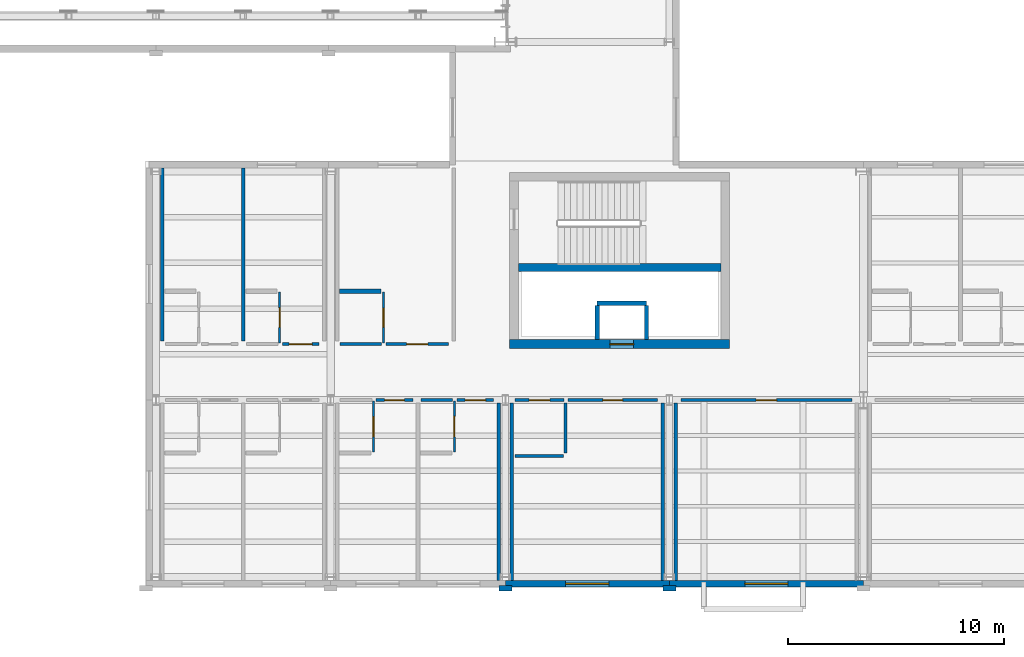
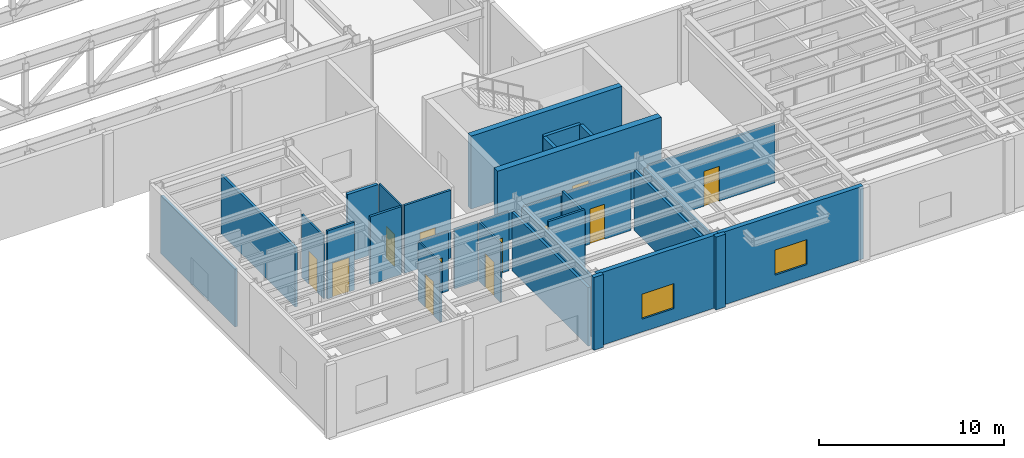
# One storey, part 66 of 91: 31 walls, 12 doors, 2 windows, 14 openings.
"""IFC4 building model written with IfcOpenShell, lengths in metres."""

from ifc_helpers import new_model, si_unit, direction, frame, frame_2d, origin, place, context, subcontext, project, spatial, rectangle, extrude, material, layer, layer_set, type_object, element, fill, save


model = new_model("IFC4")

# Units and contexts
model_context = context("Model", 3, precision=1e-05, world=origin(), true_north=direction((0.0, 1.0)))
body_context = subcontext(model_context, "Body", "Model", "MODEL_VIEW")
ifc_project = project(units=[si_unit("LENGTHUNIT", "METRE"), si_unit("AREAUNIT", "SQUARE_METRE"), si_unit("VOLUMEUNIT", "CUBIC_METRE"), si_unit("PLANEANGLEUNIT", "RADIAN"), si_unit("MASSUNIT", "GRAM", prefix="KILO")], contexts=[model_context])

# Site, building, storey
site_placement = place(None, origin())
site = spatial("IfcSite", under=ifc_project, at=site_placement, CompositionType="ELEMENT")
building_placement = place(site_placement, origin())
building = spatial("IfcBuilding", under=site, at=building_placement, Name="Sollismere Congress Hotel", CompositionType="ELEMENT")
storey_placement = place(building_placement, frame((0.0, 0.0, 10.800048828125)))
storey = spatial("IfcBuildingStorey", under=building, at=storey_placement, Name="L02", CompositionType="ELEMENT", Elevation=10.800048828125)

# Wall, opening, window
ifc_material_1 = material(Name="Colorado Buff Sandstone Rainscreen on Insulated Backup", Category="masonry")
ifc_layer_1 = layer(ifc_material_1, 0.284912109375, Name="Colorado Buff Sandstone Rainscreen on Insulated Backup")
ifc_layer_set_1 = layer_set([ifc_layer_1], Name="Colorado Buff Sandstone Rainscreen on Insulated Backup")
wall_type_1 = type_object("IfcWallType", Name="WL-EXT285", PredefinedType="STANDARD", material=ifc_layer_set_1)
wall_1_placement = place(storey_placement, frame((50.39990234375, -0.31005859375, 0.0), z_axis=(0.0, 0.0, 1.0), x_axis=(1.0, 0.0, 0.0)))
wall_1 = element("IfcWall", 1, at=wall_1_placement, inside=storey, type_object=wall_type_1, Name="Exterior wall EW-L02-330", PredefinedType="STANDARD", context=body_context, shape_type="SweptSolid", body=[
    extrude(rectangle(XDim=7.60009765625, YDim=0.284912109375, at=frame_2d((3.800048828125, 0.0))), origin(), (0.0, 0.0, 1.0), 4.800048828125),
])
opening_1_placement = place(wall_1_placement, frame((2.800048828125, 0.0, 0.85009765625)))
opening_1 = element("IfcOpeningElement", 2, at=opening_1_placement, cuts=wall_1, Name="Opening W-L02-266", PredefinedType="OPENING", context=body_context, shape_type="SweptSolid", body=[
    extrude(rectangle(XDim=2.0, YDim=1.64990234375, at=frame_2d((1.0, 0.824951171875))), frame((0.0, 0.15234375, 0.0), z_axis=(0.0, -1.0, 0.0), x_axis=(1.0, 0.0, 0.0)), (0.0, 0.0, 1.0), 0.304931640625),
])
ifc_material_2 = material(Name="Thermally Broken Bronze Aluminum & Low-E Glass", Category="aluminium")
window_type = type_object("IfcWindowType", Name="WN-P200x165", PartitioningType="SINGLE_PANEL", PredefinedType="WINDOW", material=ifc_material_2)
window_1_placement = place(opening_1_placement, origin())
window_1 = element("IfcWindow", 3, at=window_1_placement, inside=storey, type_object=window_type, Name="WIN-W-L02-266", OverallHeight=1.64990234375, OverallWidth=2.0, PartitioningType="SINGLE_PANEL", PredefinedType="WINDOW", context=body_context, shape_type="SweptSolid", body=[
    extrude(rectangle(XDim=2.0, YDim=1.64990234375, at=frame_2d((1.0, 0.824951171875))), frame((0.0, 0.030029296875, 0.0), z_axis=(0.0, -1.0, 0.0), x_axis=(1.0, 0.0, 0.0)), (0.0, 0.0, 1.0), 0.06005859375),
])
fill(opening_1, window_1)

wall_2_placement = place(storey_placement, frame((58.0, -0.31005859375, 0.0), z_axis=(0.0, 0.0, 1.0), x_axis=(1.0, 0.0, 0.0)))
wall_2 = element("IfcWall", 4, at=wall_2_placement, inside=storey, type_object=wall_type_1, Name="Exterior wall EW-L02-332", PredefinedType="STANDARD", context=body_context, shape_type="SweptSolid", body=[
    extrude(rectangle(XDim=9.0, YDim=0.284912109375, at=frame_2d((4.5, 0.0))), origin(), (0.0, 0.0, 1.0), 4.800048828125),
])
opening_2_placement = place(wall_2_placement, frame((3.5, 0.0, 0.85009765625)))
opening_2 = element("IfcOpeningElement", 5, at=opening_2_placement, cuts=wall_2, Name="Opening W-L02-267", PredefinedType="OPENING", context=body_context, shape_type="SweptSolid", body=[
    extrude(rectangle(XDim=2.0, YDim=1.64990234375, at=frame_2d((1.0, 0.824951171875))), frame((0.0, 0.15234375, 0.0), z_axis=(0.0, -1.0, 0.0), x_axis=(1.0, 0.0, 0.0)), (0.0, 0.0, 1.0), 0.304931640625),
])
window_2_placement = place(opening_2_placement, origin())
window_2 = element("IfcWindow", 6, at=window_2_placement, inside=storey, type_object=window_type, Name="WIN-W-L02-267", OverallHeight=1.64990234375, OverallWidth=2.0, PartitioningType="SINGLE_PANEL", PredefinedType="WINDOW", context=body_context, shape_type="SweptSolid", body=[
    extrude(rectangle(XDim=2.0, YDim=1.64990234375, at=frame_2d((1.0, 0.824951171875))), frame((0.0, 0.030029296875, 0.0), z_axis=(0.0, -1.0, 0.0), x_axis=(1.0, 0.0, 0.0)), (0.0, 0.0, 1.0), 0.06005859375),
])
fill(opening_2, window_2)

# Walls
ifc_material_3 = material(Name="Carved Travertine Pilaster & Frieze Assembly", Category="masonry")
ifc_layer_2 = layer(ifc_material_3, 0.260009765625, Name="Carved Travertine Pilaster & Frieze Assembly")
ifc_layer_set_2 = layer_set([ifc_layer_2], Name="Carved Travertine Pilaster & Frieze Assembly")
wall_type_2 = type_object("IfcWallType", Name="WL-PIL280", PredefinedType="ELEMENTEDWALL", material=ifc_layer_set_2)
wall_3_placement = place(storey_placement, frame((50.10009765625, -0.52001953125, 0.0), z_axis=(0.0, 0.0, 1.0), x_axis=(1.0, 0.0, 0.0)))
element("IfcWall", 7, at=wall_3_placement, inside=storey, type_object=wall_type_2, Name="Exterior wall EW-L02-331", PredefinedType="ELEMENTEDWALL", context=body_context, shape_type="SweptSolid", body=[
    extrude(rectangle(XDim=0.599853515625, YDim=0.260009765625, at=frame_2d((0.2998046875, 0.0))), origin(), (0.0, 0.0, 1.0), 4.800048828125),
])
wall_4_placement = place(storey_placement, frame((57.699951171875, -0.52001953125, 0.0), z_axis=(0.0, 0.0, 1.0), x_axis=(1.0, 0.0, 0.0)))
element("IfcWall", 8, at=wall_4_placement, inside=storey, type_object=wall_type_2, Name="Exterior wall EW-L02-333", PredefinedType="ELEMENTEDWALL", context=body_context, shape_type="SweptSolid", body=[
    extrude(rectangle(XDim=0.60009765625, YDim=0.260009765625, at=frame_2d((0.300048828125, 0.0))), origin(), (0.0, 0.0, 1.0), 4.800048828125),
])
ifc_material_4 = material(Name="Moisture-Resistant Shaft Gypsum Assembly")
ifc_layer_3 = layer(ifc_material_4, 0.199951171875, Name="Moisture-Resistant Shaft Gypsum Assembly")
ifc_layer_set_3 = layer_set([ifc_layer_3], Name="Moisture-Resistant Shaft Gypsum Assembly")
wall_type_3 = type_object("IfcWallType", Name="WL-PLM200", PredefinedType="PLUMBINGWALL", material=ifc_layer_set_3)
wall_5_placement = place(storey_placement, frame((54.655029296875, 12.68994140625, 0.0), z_axis=(0.0, 0.0, 1.0), x_axis=(1.0, 0.0, 0.0)))
element("IfcWall", 9, at=wall_5_placement, inside=storey, type_object=wall_type_3, Name="Interior wall IW-L02-0700", PredefinedType="PLUMBINGWALL", context=body_context, shape_type="SweptSolid", body=[
    extrude(rectangle(XDim=2.2900390625, YDim=0.199951171875, at=frame_2d((1.14501953125, 0.0))), origin(), (0.0, 0.0, 1.0), 4.474853515625),
])
for number, where, z_axis, x_axis, name in (
    (10, (54.655029296875, 11.011962890625, 0.0), (0.0, 0.0, 1.0), (0.0, 1.0, 0.0), "Interior wall IW-L02-0701"),
    (11, (56.945068359375, 11.011962890625, 0.0), (0.0, 0.0, 1.0), (0.0, 1.0, 0.0), "Interior wall IW-L02-0702"),
):
    element("IfcWall", number, at=place(storey_placement, frame(where, z_axis=z_axis, x_axis=x_axis)), inside=storey, type_object=wall_type_3, Name=name, PredefinedType="PLUMBINGWALL", context=body_context, shape_type="SweptSolid", body=[
        extrude(rectangle(XDim=1.56591796875, YDim=0.199951171875, at=frame_2d((0.782958984375, 0.0))), origin(), (0.0, 0.0, 1.0), 4.474853515625),
    ])
wall_6_placement = place(storey_placement, frame((42.719970703125, 13.25, 0.0), z_axis=(0.0, 0.0, 1.0), x_axis=(1.0, 0.0, 0.0)))
element("IfcWall", 12, at=wall_6_placement, inside=storey, type_object=wall_type_3, Name="Interior wall IW-L02-1009", PredefinedType="PLUMBINGWALL", context=body_context, shape_type="SweptSolid", body=[
    extrude(rectangle(XDim=1.909912109375, YDim=0.199951171875, at=frame_2d((0.955078125, 0.0))), origin(), (0.0, 0.0, 1.0), 4.474853515625),
])

# Wall, opening, door
ifc_material_5 = material(Name="Moisture-Resistant Gypsum Partition")
ifc_layer_4 = layer(ifc_material_5, 0.10009765625, Name="Moisture-Resistant Gypsum Partition")
ifc_layer_set_4 = layer_set([ifc_layer_4], Name="Moisture-Resistant Gypsum Partition")
wall_type_4 = type_object("IfcWallType", Name="WL-PRT100", PredefinedType="PARTITIONING", material=ifc_layer_set_4)
wall_7_placement = place(storey_placement, frame((39.93798828125, 10.840087890625, 0.0), z_axis=(0.0, 0.0, 1.0), x_axis=(0.0, 1.0, 0.0)))
wall_7 = element("IfcWall", 13, at=wall_7_placement, inside=storey, type_object=wall_type_4, Name="Interior wall IW-L02-0991", PredefinedType="PARTITIONING", context=body_context, shape_type="SweptSolid", body=[
    extrude(rectangle(XDim=2.369873046875, YDim=0.10009765625, at=frame_2d((1.18505859375, 0.0))), origin(), (0.0, 0.0, 1.0), 4.14404296875),
])
opening_3_placement = place(wall_7_placement, frame((0.73291015625, 0.0, 0.0)))
opening_3 = element("IfcOpeningElement", 14, at=opening_3_placement, cuts=wall_7, Name="Opening D-L02-0350", PredefinedType="OPENING", context=body_context, shape_type="SweptSolid", body=[
    extrude(rectangle(XDim=0.905029296875, YDim=2.179931640625, at=frame_2d((0.45263671875, 1.08984375))), frame((0.0, 0.06005859375, 0.0), z_axis=(0.0, -1.0, 0.0), x_axis=(1.0, 0.0, 0.0)), (0.0, 0.0, 1.0), 0.1201171875),
])
ifc_material_6 = material(Name="Moisture-Sealed Timber Bathroom Door", Category="wood")
door_type_1 = type_object("IfcDoorType", Name="DR-BT06", OperationType="NOTDEFINED", PredefinedType="DOOR", material=ifc_material_6)
door_1_placement = place(opening_3_placement, origin())
door_1 = element("IfcDoor", 15, at=door_1_placement, inside=storey, type_object=door_type_1, Name="En-suite bathroom door D-L02-0350", OperationType="SINGLE_SWING_LEFT", OverallHeight=2.179931640625, OverallWidth=0.905029296875, PredefinedType="DOOR", context=body_context, shape_type="SweptSolid", body=[
    extrude(rectangle(XDim=0.905029296875, YDim=2.179931640625, at=frame_2d((0.45263671875, 1.08984375))), frame((0.0, 0.02490234375, 0.0), z_axis=(0.0, -1.0, 0.0), x_axis=(1.0, 0.0, 0.0)), (0.0, 0.0, 1.0), 0.050048828125),
])
fill(opening_3, door_1)

wall_8_placement = place(storey_placement, frame((44.2880859375, 5.7900390625, 0.0), z_axis=(0.0, 0.0, 1.0), x_axis=(0.0, 1.0, 0.0)))
wall_8 = element("IfcWall", 16, at=wall_8_placement, inside=storey, type_object=wall_type_4, Name="Interior wall IW-L02-0997", PredefinedType="PARTITIONING", context=body_context, shape_type="SweptSolid", body=[
    extrude(rectangle(XDim=2.369873046875, YDim=0.10009765625, at=frame_2d((1.18505859375, 0.0))), origin(), (0.0, 0.0, 1.0), 3.887939453125),
])
opening_4_placement = place(wall_8_placement, frame((0.719970703125, 0.0, 0.0)))
opening_4 = element("IfcOpeningElement", 17, at=opening_4_placement, cuts=wall_8, Name="Opening D-L02-0352", PredefinedType="OPENING", context=body_context, shape_type="SweptSolid", body=[
    extrude(rectangle(XDim=0.929931640625, YDim=2.219970703125, at=frame_2d((0.46484375, 1.10986328125))), frame((0.0, 0.06005859375, 0.0), z_axis=(0.0, -1.0, 0.0), x_axis=(1.0, 0.0, 0.0)), (0.0, 0.0, 1.0), 0.1201171875),
])
door_type_2 = type_object("IfcDoorType", Name="DR-BT07", OperationType="NOTDEFINED", PredefinedType="DOOR", material=ifc_material_6)
door_2_placement = place(opening_4_placement, origin())
door_2 = element("IfcDoor", 18, at=door_2_placement, inside=storey, type_object=door_type_2, Name="En-suite bathroom door D-L02-0352", OperationType="SINGLE_SWING_LEFT", OverallHeight=2.219970703125, OverallWidth=0.929931640625, PredefinedType="DOOR", context=body_context, shape_type="SweptSolid", body=[
    extrude(rectangle(XDim=0.929931640625, YDim=2.219970703125, at=frame_2d((0.46484375, 1.10986328125))), frame((0.0, 0.02490234375, 0.0), z_axis=(0.0, -1.0, 0.0), x_axis=(1.0, 0.0, 0.0)), (0.0, 0.0, 1.0), 0.050048828125),
])
fill(opening_4, door_2)

wall_9_placement = place(storey_placement, frame((48.0380859375, 5.7900390625, 0.0), z_axis=(0.0, 0.0, 1.0), x_axis=(0.0, 1.0, 0.0)))
wall_9 = element("IfcWall", 19, at=wall_9_placement, inside=storey, type_object=wall_type_4, Name="Interior wall IW-L02-1002", PredefinedType="PARTITIONING", context=body_context, shape_type="SweptSolid", body=[
    extrude(rectangle(XDim=2.369873046875, YDim=0.10009765625, at=frame_2d((1.18505859375, 0.0))), origin(), (0.0, 0.0, 1.0), 3.887939453125),
])
opening_5_placement = place(wall_9_placement, frame((0.7080078125, 0.0, 0.0)))
opening_5 = element("IfcOpeningElement", 20, at=opening_5_placement, cuts=wall_9, Name="Opening D-L02-0354", PredefinedType="OPENING", context=body_context, shape_type="SweptSolid", body=[
    extrude(rectangle(XDim=0.955078125, YDim=2.219970703125, at=frame_2d((0.4775390625, 1.10986328125))), frame((0.0, 0.06005859375, 0.0), z_axis=(0.0, -1.0, 0.0), x_axis=(1.0, 0.0, 0.0)), (0.0, 0.0, 1.0), 0.1201171875),
])
door_type_3 = type_object("IfcDoorType", Name="DR-BT08", OperationType="NOTDEFINED", PredefinedType="DOOR", material=ifc_material_6)
door_3_placement = place(opening_5_placement, origin())
door_3 = element("IfcDoor", 21, at=door_3_placement, inside=storey, type_object=door_type_3, Name="En-suite bathroom door D-L02-0354", OperationType="SINGLE_SWING_LEFT", OverallHeight=2.219970703125, OverallWidth=0.955078125, PredefinedType="DOOR", context=body_context, shape_type="SweptSolid", body=[
    extrude(rectangle(XDim=0.955078125, YDim=2.219970703125, at=frame_2d((0.4775390625, 1.10986328125))), frame((0.0, 0.02490234375, 0.0), z_axis=(0.0, -1.0, 0.0), x_axis=(1.0, 0.0, 0.0)), (0.0, 0.0, 1.0), 0.050048828125),
])
fill(opening_5, door_3)

wall_10_placement = place(storey_placement, frame((44.75, 10.840087890625, 0.0), z_axis=(0.0, 0.0, 1.0), x_axis=(0.0, 1.0, 0.0)))
wall_10 = element("IfcWall", 22, at=wall_10_placement, inside=storey, type_object=wall_type_4, Name="Interior wall IW-L02-1008", PredefinedType="PARTITIONING", context=body_context, shape_type="SweptSolid", body=[
    extrude(rectangle(XDim=2.369873046875, YDim=0.10009765625, at=frame_2d((1.18505859375, 0.0))), origin(), (0.0, 0.0, 1.0), 4.474853515625),
])
opening_6_placement = place(wall_10_placement, frame((0.7451171875, 0.0, 0.0)))
opening_6 = element("IfcOpeningElement", 23, at=opening_6_placement, cuts=wall_10, Name="Opening D-L02-0356", PredefinedType="OPENING", context=body_context, shape_type="SweptSolid", body=[
    extrude(rectangle(XDim=0.8798828125, YDim=2.10009765625, at=frame_2d((0.43994140625, 1.050048828125))), frame((0.0, 0.06005859375, 0.0), z_axis=(0.0, -1.0, 0.0), x_axis=(1.0, 0.0, 0.0)), (0.0, 0.0, 1.0), 0.1201171875),
])
door_type_4 = type_object("IfcDoorType", Name="DR-BT01", OperationType="NOTDEFINED", PredefinedType="DOOR", material=ifc_material_6)
door_4_placement = place(opening_6_placement, origin())
door_4 = element("IfcDoor", 24, at=door_4_placement, inside=storey, type_object=door_type_4, Name="En-suite bathroom door D-L02-0356", OperationType="SINGLE_SWING_LEFT", OverallHeight=2.10009765625, OverallWidth=0.8798828125, PredefinedType="DOOR", context=body_context, shape_type="SweptSolid", body=[
    extrude(rectangle(XDim=0.8798828125, YDim=2.10009765625, at=frame_2d((0.43994140625, 1.050048828125))), frame((0.0, 0.02490234375, 0.0), z_axis=(0.0, -1.0, 0.0), x_axis=(1.0, 0.0, 0.0)), (0.0, 0.0, 1.0), 0.050048828125),
])
fill(opening_6, door_4)

ifc_material_7 = material(Name="Fire-Rated Gypsum Partition")
ifc_layer_5 = layer(ifc_material_7, 0.139892578125, Name="Fire-Rated Gypsum Partition")
ifc_layer_set_5 = layer_set([ifc_layer_5], Name="Fire-Rated Gypsum Partition")
wall_type_5 = type_object("IfcWallType", Name="WL-PRT140R", PredefinedType="PARTITIONING", material=ifc_layer_set_5)
wall_11_placement = place(storey_placement, frame((40.05810546875, 10.800048828125, 0.0), z_axis=(0.0, 0.0, 1.0), x_axis=(1.0, 0.0, 0.0)))
wall_11 = element("IfcWall", 25, at=wall_11_placement, inside=storey, type_object=wall_type_5, Name="Interior wall IW-L02-0989", PredefinedType="PARTITIONING", context=body_context, shape_type="SweptSolid", body=[
    extrude(rectangle(XDim=1.701904296875, YDim=0.139892578125, at=frame_2d((0.85107421875, 0.0))), origin(), (0.0, 0.0, 1.0), 4.474853515625),
])
opening_7_placement = place(wall_11_placement, frame((0.31591796875, 0.0, 0.0)))
opening_7 = element("IfcOpeningElement", 26, at=opening_7_placement, cuts=wall_11, Name="Opening D-L02-0349", PredefinedType="OPENING", context=body_context, shape_type="SweptSolid", body=[
    extrude(rectangle(XDim=1.070068359375, YDim=2.25, at=frame_2d((0.53515625, 1.125))), frame((0.0, 0.079833984375, 0.0), z_axis=(0.0, -1.0, 0.0), x_axis=(1.0, 0.0, 0.0)), (0.0, 0.0, 1.0), 0.159912109375),
])
ifc_material_8 = material(Name="Solid-Core Acoustic Walnut Guestroom Entry Door")
door_type_5 = type_object("IfcDoorType", Name="DR-KY06", OperationType="NOTDEFINED", PredefinedType="DOOR", material=ifc_material_8)
door_5_placement = place(opening_7_placement, origin())
door_5 = element("IfcDoor", 27, at=door_5_placement, inside=storey, type_object=door_type_5, Name="Hotel room entry door D-L02-0349", OperationType="SINGLE_SWING_RIGHT", OverallHeight=2.25, OverallWidth=1.070068359375, PredefinedType="DOOR", context=body_context, shape_type="SweptSolid", body=[
    extrude(rectangle(XDim=1.070068359375, YDim=2.25, at=frame_2d((0.53515625, 1.125))), frame((0.0, 0.02490234375, 0.0), z_axis=(0.0, -1.0, 0.0), x_axis=(1.0, 0.0, 0.0)), (0.0, 0.0, 1.0), 0.050048828125),
])
fill(opening_7, door_5)

wall_12_placement = place(storey_placement, frame((44.407958984375, 8.199951171875, 0.0), z_axis=(0.0, 0.0, 1.0), x_axis=(1.0, 0.0, 0.0)))
wall_12 = element("IfcWall", 28, at=wall_12_placement, inside=storey, type_object=wall_type_5, Name="Interior wall IW-L02-0994", PredefinedType="PARTITIONING", context=body_context, shape_type="SweptSolid", body=[
    extrude(rectangle(XDim=1.7021484375, YDim=0.139892578125, at=frame_2d((0.85107421875, 0.0))), origin(), (0.0, 0.0, 1.0), 3.887939453125),
])
opening_8_placement = place(wall_12_placement, frame((0.39111328125, 0.0, 0.0)))
opening_8 = element("IfcOpeningElement", 29, at=opening_8_placement, cuts=wall_12, Name="Opening D-L02-0351", PredefinedType="OPENING", context=body_context, shape_type="SweptSolid", body=[
    extrude(rectangle(XDim=0.919921875, YDim=2.300048828125, at=frame_2d((0.4599609375, 1.14990234375))), frame((0.0, 0.079833984375, 0.0), z_axis=(0.0, -1.0, 0.0), x_axis=(1.0, 0.0, 0.0)), (0.0, 0.0, 1.0), 0.159912109375),
])
door_type_6 = type_object("IfcDoorType", Name="DR-KY07", OperationType="NOTDEFINED", PredefinedType="DOOR", material=ifc_material_8)
door_6_placement = place(opening_8_placement, origin())
door_6 = element("IfcDoor", 30, at=door_6_placement, inside=storey, type_object=door_type_6, Name="Hotel room entry door D-L02-0351", OperationType="SINGLE_SWING_RIGHT", OverallHeight=2.300048828125, OverallWidth=0.919921875, PredefinedType="DOOR", context=body_context, shape_type="SweptSolid", body=[
    extrude(rectangle(XDim=0.919921875, YDim=2.300048828125, at=frame_2d((0.4599609375, 1.14990234375))), frame((0.0, 0.02490234375, 0.0), z_axis=(0.0, -1.0, 0.0), x_axis=(1.0, 0.0, 0.0)), (0.0, 0.0, 1.0), 0.050048828125),
])
fill(opening_8, door_6)

# Wall
wall_13_placement = place(storey_placement, frame((46.489990234375, 8.199951171875, 0.0), z_axis=(0.0, 0.0, 1.0), x_axis=(1.0, 0.0, 0.0)))
element("IfcWall", 31, at=wall_13_placement, inside=storey, type_object=wall_type_5, Name="Interior wall IW-L02-0999", PredefinedType="PARTITIONING", context=body_context, shape_type="SweptSolid", body=[
    extrude(rectangle(XDim=1.468017578125, YDim=0.139892578125, at=frame_2d((0.73388671875, 0.0))), origin(), (0.0, 0.0, 1.0), 3.887939453125),
])

# Wall, opening, door
wall_14_placement = place(storey_placement, frame((48.157958984375, 8.199951171875, 0.0), z_axis=(0.0, 0.0, 1.0), x_axis=(1.0, 0.0, 0.0)))
wall_14 = element("IfcWall", 32, at=wall_14_placement, inside=storey, type_object=wall_type_5, Name="Interior wall IW-L02-1000", PredefinedType="PARTITIONING", context=body_context, shape_type="SweptSolid", body=[
    extrude(rectangle(XDim=1.7021484375, YDim=0.139892578125, at=frame_2d((0.85107421875, 0.0))), origin(), (0.0, 0.0, 1.0), 3.887939453125),
])
opening_9_placement = place(wall_14_placement, frame((0.3759765625, 0.0, 0.0)))
opening_9 = element("IfcOpeningElement", 33, at=opening_9_placement, cuts=wall_14, Name="Opening D-L02-0353", PredefinedType="OPENING", context=body_context, shape_type="SweptSolid", body=[
    extrude(rectangle(XDim=0.949951171875, YDim=2.300048828125, at=frame_2d((0.47509765625, 1.14990234375))), frame((0.0, 0.079833984375, 0.0), z_axis=(0.0, -1.0, 0.0), x_axis=(1.0, 0.0, 0.0)), (0.0, 0.0, 1.0), 0.159912109375),
])
door_type_7 = type_object("IfcDoorType", Name="DR-KY08", OperationType="NOTDEFINED", PredefinedType="DOOR", material=ifc_material_8)
door_7_placement = place(opening_9_placement, origin())
door_7 = element("IfcDoor", 34, at=door_7_placement, inside=storey, type_object=door_type_7, Name="Hotel room entry door D-L02-0353", OperationType="SINGLE_SWING_RIGHT", OverallHeight=2.300048828125, OverallWidth=0.949951171875, PredefinedType="DOOR", context=body_context, shape_type="SweptSolid", body=[
    extrude(rectangle(XDim=0.949951171875, YDim=2.300048828125, at=frame_2d((0.47509765625, 1.14990234375))), frame((0.0, 0.02490234375, 0.0), z_axis=(0.0, -1.0, 0.0), x_axis=(1.0, 0.0, 0.0)), (0.0, 0.0, 1.0), 0.050048828125),
])
fill(opening_9, door_7)

# Wall
wall_15_placement = place(storey_placement, frame((42.739990234375, 10.800048828125, 0.0), z_axis=(0.0, 0.0, 1.0), x_axis=(1.0, 0.0, 0.0)))
element("IfcWall", 35, at=wall_15_placement, inside=storey, type_object=wall_type_5, Name="Interior wall IW-L02-1004", PredefinedType="PARTITIONING", context=body_context, shape_type="SweptSolid", body=[
    extrude(rectangle(XDim=1.929931640625, YDim=0.139892578125, at=frame_2d((0.96484375, 0.0))), origin(), (0.0, 0.0, 1.0), 4.474853515625),
])

# Wall, opening, door
wall_16_placement = place(storey_placement, frame((44.8701171875, 10.800048828125, 0.0), z_axis=(0.0, 0.0, 1.0), x_axis=(1.0, 0.0, 0.0)))
wall_16 = element("IfcWall", 36, at=wall_16_placement, inside=storey, type_object=wall_type_5, Name="Interior wall IW-L02-1005", PredefinedType="PARTITIONING", context=body_context, shape_type="SweptSolid", body=[
    extrude(rectangle(XDim=2.889892578125, YDim=0.139892578125, at=frame_2d((1.44482421875, 0.0))), origin(), (0.0, 0.0, 1.0), 4.474853515625),
])
opening_10_placement = place(wall_16_placement, frame((0.955078125, 0.0, 0.0)))
opening_10 = element("IfcOpeningElement", 37, at=opening_10_placement, cuts=wall_16, Name="Opening D-L02-0355", PredefinedType="OPENING", context=body_context, shape_type="SweptSolid", body=[
    extrude(rectangle(XDim=0.97998046875, YDim=2.35009765625, at=frame_2d((0.489990234375, 1.175048828125))), frame((0.0, 0.079833984375, 0.0), z_axis=(0.0, -1.0, 0.0), x_axis=(1.0, 0.0, 0.0)), (0.0, 0.0, 1.0), 0.159912109375),
])
door_type_8 = type_object("IfcDoorType", Name="DR-KY09", OperationType="NOTDEFINED", PredefinedType="DOOR", material=ifc_material_8)
door_8_placement = place(opening_10_placement, origin())
door_8 = element("IfcDoor", 38, at=door_8_placement, inside=storey, type_object=door_type_8, Name="Hotel room entry door D-L02-0355", OperationType="SINGLE_SWING_RIGHT", OverallHeight=2.35009765625, OverallWidth=0.97998046875, PredefinedType="DOOR", context=body_context, shape_type="SweptSolid", body=[
    extrude(rectangle(XDim=0.97998046875, YDim=2.35009765625, at=frame_2d((0.489990234375, 1.175048828125))), frame((0.0, 0.02490234375, 0.0), z_axis=(0.0, -1.0, 0.0), x_axis=(1.0, 0.0, 0.0)), (0.0, 0.0, 1.0), 0.050048828125),
])
fill(opening_10, door_8)

wall_17_placement = place(storey_placement, frame((50.840087890625, 8.199951171875, 0.0), z_axis=(0.0, 0.0, 1.0), x_axis=(1.0, 0.0, 0.0)))
wall_17 = element("IfcWall", 39, at=wall_17_placement, inside=storey, type_object=wall_type_5, Name="Interior wall IW-L02-1197", PredefinedType="PARTITIONING", context=body_context, shape_type="SweptSolid", body=[
    extrude(rectangle(XDim=2.280029296875, YDim=0.139892578125, at=frame_2d((1.14013671875, 0.0))), origin(), (0.0, 0.0, 1.0), 3.887939453125),
])
opening_11_placement = place(wall_17_placement, frame((0.659912109375, 0.0, 0.0)))
opening_11 = element("IfcOpeningElement", 40, at=opening_11_placement, cuts=wall_17, Name="Opening D-L02-0423", PredefinedType="OPENING", context=body_context, shape_type="SweptSolid", body=[
    extrude(rectangle(XDim=0.9599609375, YDim=2.14990234375, at=frame_2d((0.47998046875, 1.074951171875))), frame((0.0, 0.079833984375, 0.0), z_axis=(0.0, -1.0, 0.0), x_axis=(1.0, 0.0, 0.0)), (0.0, 0.0, 1.0), 0.159912109375),
])
ifc_material_9 = material(Name="Fire-Rated Accessible Restroom Door")
door_type_9 = type_object("IfcDoorType", Name="DR-AWC01", OperationType="NOTDEFINED", PredefinedType="DOOR", material=ifc_material_9)
door_9_placement = place(opening_11_placement, origin())
door_9 = element("IfcDoor", 41, at=door_9_placement, inside=storey, type_object=door_type_9, Name="Accessible restroom door D-L02-0423", OperationType="SINGLE_SWING_RIGHT", OverallHeight=2.14990234375, OverallWidth=0.9599609375, PredefinedType="DOOR", context=body_context, shape_type="SweptSolid", body=[
    extrude(rectangle(XDim=0.9599609375, YDim=2.14990234375, at=frame_2d((0.47998046875, 1.074951171875))), frame((0.0, 0.02490234375, 0.0), z_axis=(0.0, -1.0, 0.0), x_axis=(1.0, 0.0, 0.0)), (0.0, 0.0, 1.0), 0.050048828125),
])
fill(opening_11, door_9)

# Walls
wall_18_placement = place(storey_placement, frame((53.199951171875, 5.739990234375, 0.0), z_axis=(0.0, 0.0, 1.0), x_axis=(0.0, 1.0, 0.0)))
element("IfcWall", 42, at=wall_18_placement, inside=storey, type_object=wall_type_5, Name="Interior wall IW-L02-1198", PredefinedType="PARTITIONING", context=body_context, shape_type="SweptSolid", body=[
    extrude(rectangle(XDim=2.320068359375, YDim=0.139892578125, at=frame_2d((1.16015625, 0.0))), origin(), (0.0, 0.0, 1.0), 4.14404296875),
])
wall_19_placement = place(storey_placement, frame((50.840087890625, 5.60009765625, 0.0), z_axis=(0.0, 0.0, 1.0), x_axis=(1.0, 0.0, 0.0)))
element("IfcWall", 43, at=wall_19_placement, inside=storey, type_object=wall_type_5, Name="Interior wall IW-L02-1199", PredefinedType="PARTITIONING", context=body_context, shape_type="SweptSolid", body=[
    extrude(rectangle(XDim=2.260009765625, YDim=0.139892578125, at=frame_2d((1.1298828125, 0.0))), origin(), (0.0, 0.0, 1.0), 4.474853515625),
])

# Wall, opening, door
wall_20_placement = place(storey_placement, frame((53.300048828125, 8.199951171875, 0.0), z_axis=(0.0, 0.0, 1.0), x_axis=(1.0, 0.0, 0.0)))
wall_20 = element("IfcWall", 44, at=wall_20_placement, inside=storey, type_object=wall_type_5, Name="Interior wall IW-L02-1200", PredefinedType="PARTITIONING", context=body_context, shape_type="SweptSolid", body=[
    extrude(rectangle(XDim=4.159912109375, YDim=0.139892578125, at=frame_2d((2.080078125, 0.0))), origin(), (0.0, 0.0, 1.0), 3.887939453125),
])
opening_12_placement = place(wall_20_placement, frame((1.6201171875, 0.0, 0.0)))
opening_12 = element("IfcOpeningElement", 45, at=opening_12_placement, cuts=wall_20, Name="Opening D-L02-0424", PredefinedType="OPENING", context=body_context, shape_type="SweptSolid", body=[
    extrude(rectangle(XDim=0.919921875, YDim=2.300048828125, at=frame_2d((0.4599609375, 1.14990234375))), frame((0.0, 0.079833984375, 0.0), z_axis=(0.0, -1.0, 0.0), x_axis=(1.0, 0.0, 0.0)), (0.0, 0.0, 1.0), 0.159912109375),
])
door_10_placement = place(opening_12_placement, origin())
door_10 = element("IfcDoor", 46, at=door_10_placement, inside=storey, type_object=door_type_6, Name="Hotel room entry door D-L02-0424", OperationType="SINGLE_SWING_LEFT", OverallHeight=2.300048828125, OverallWidth=0.919921875, PredefinedType="DOOR", context=body_context, shape_type="SweptSolid", body=[
    extrude(rectangle(XDim=0.919921875, YDim=2.300048828125, at=frame_2d((0.4599609375, 1.14990234375))), frame((0.0, 0.02490234375, 0.0), z_axis=(0.0, -1.0, 0.0), x_axis=(1.0, 0.0, 0.0)), (0.0, 0.0, 1.0), 0.050048828125),
])
fill(opening_12, door_10)

wall_21_placement = place(storey_placement, frame((58.5400390625, 8.199951171875, 0.0), z_axis=(0.0, 0.0, 1.0), x_axis=(1.0, 0.0, 0.0)))
wall_21 = element("IfcWall", 47, at=wall_21_placement, inside=storey, type_object=wall_type_5, Name="Interior wall IW-L02-1203", PredefinedType="PARTITIONING", context=body_context, shape_type="SweptSolid", body=[
    extrude(rectangle(XDim=7.919921875, YDim=0.139892578125, at=frame_2d((3.9599609375, 0.0))), origin(), (0.0, 0.0, 1.0), 3.887939453125),
])
opening_13_placement = place(wall_21_placement, frame((3.485107421875, 0.0, 0.0)))
opening_13 = element("IfcOpeningElement", 48, at=opening_13_placement, cuts=wall_21, Name="Opening D-L02-0425", PredefinedType="OPENING", context=body_context, shape_type="SweptSolid", body=[
    extrude(rectangle(XDim=0.949951171875, YDim=2.300048828125, at=frame_2d((0.47509765625, 1.14990234375))), frame((0.0, 0.079833984375, 0.0), z_axis=(0.0, -1.0, 0.0), x_axis=(1.0, 0.0, 0.0)), (0.0, 0.0, 1.0), 0.159912109375),
])
door_11_placement = place(opening_13_placement, origin())
door_11 = element("IfcDoor", 49, at=door_11_placement, inside=storey, type_object=door_type_7, Name="Hotel room entry door D-L02-0425", OperationType="SINGLE_SWING_RIGHT", OverallHeight=2.300048828125, OverallWidth=0.949951171875, PredefinedType="DOOR", context=body_context, shape_type="SweptSolid", body=[
    extrude(rectangle(XDim=0.949951171875, YDim=2.300048828125, at=frame_2d((0.47509765625, 1.14990234375))), frame((0.0, 0.02490234375, 0.0), z_axis=(0.0, -1.0, 0.0), x_axis=(1.0, 0.0, 0.0)), (0.0, 0.0, 1.0), 0.050048828125),
])
fill(opening_13, door_11)

# Walls
ifc_material_10 = material(Name="Fire-Rated Acoustic Gypsum Partition")
ifc_layer_6 = layer(ifc_material_10, 0.1650390625, Name="Fire-Rated Acoustic Gypsum Partition")
ifc_layer_set_6 = layer_set([ifc_layer_6], Name="Fire-Rated Acoustic Gypsum Partition")
wall_type_6 = type_object("IfcWallType", Name="WL-PRT165R", PredefinedType="PARTITIONING", material=ifc_layer_set_6)
wall_22_placement = place(storey_placement, frame((34.5, 10.93994140625, 0.0), z_axis=(0.0, 0.0, 1.0), x_axis=(0.0, 1.0, 0.0)))
element("IfcWall", 50, at=wall_22_placement, inside=storey, type_object=wall_type_6, Name="Interior wall IW-L02-0984", PredefinedType="PARTITIONING", context=body_context, shape_type="SweptSolid", body=[
    extrude(rectangle(XDim=8.012451171875, YDim=0.1650390625, at=frame_2d((4.00634765625, 0.0))), origin(), (0.0, 0.0, 1.0), 3.803955078125),
])
wall_23_placement = place(storey_placement, frame((38.25, 10.93994140625, 0.0), z_axis=(0.0, 0.0, 1.0), x_axis=(0.0, 1.0, 0.0)))
element("IfcWall", 51, at=wall_23_placement, inside=storey, type_object=wall_type_6, Name="Interior wall IW-L02-0985", PredefinedType="PARTITIONING", context=body_context, shape_type="SweptSolid", body=[
    extrude(rectangle(XDim=8.012451171875, YDim=0.1650390625, at=frame_2d((4.00634765625, 0.0))), origin(), (0.0, 0.0, 1.0), 3.887939453125),
])
wall_24_placement = place(storey_placement, frame((50.10009765625, -0.152587890625, 0.0), z_axis=(0.0, 0.0, 1.0), x_axis=(0.0, 1.0, 0.0)))
element("IfcWall", 52, at=wall_24_placement, inside=storey, type_object=wall_type_6, Name="Interior wall IW-L02-1001", PredefinedType="PARTITIONING", context=body_context, shape_type="SweptSolid", body=[
    extrude(rectangle(XDim=8.212646484375, YDim=0.1650390625, at=frame_2d((4.1064453125, 0.0))), origin(), (0.0, 0.0, 1.0), 3.864990234375),
])
for number, where, z_axis, x_axis, name in (
    (53, (50.699951171875, -0.152587890625, 0.0), (0.0, 0.0, 1.0), (0.0, 1.0, 0.0), "Interior wall IW-L02-1201"),
    (54, (57.699951171875, -0.152587890625, 0.0), (0.0, 0.0, 1.0), (0.0, 1.0, 0.0), "Interior wall IW-L02-1202"),
):
    element("IfcWall", number, at=place(storey_placement, frame(where, z_axis=z_axis, x_axis=x_axis)), inside=storey, type_object=wall_type_6, Name=name, PredefinedType="PARTITIONING", context=body_context, shape_type="SweptSolid", body=[
        extrude(rectangle(XDim=8.212646484375, YDim=0.1650390625, at=frame_2d((4.1064453125, 0.0))), origin(), (0.0, 0.0, 1.0), 3.948974609375),
    ])
wall_25_placement = place(storey_placement, frame((58.300048828125, -0.152587890625, 0.0), z_axis=(0.0, 0.0, 1.0), x_axis=(0.0, 1.0, 0.0)))
element("IfcWall", 55, at=wall_25_placement, inside=storey, type_object=wall_type_6, Name="Interior wall IW-L02-1204", PredefinedType="PARTITIONING", context=body_context, shape_type="SweptSolid", body=[
    extrude(rectangle(XDim=8.212646484375, YDim=0.1650390625, at=frame_2d((4.1064453125, 0.0))), origin(), (0.0, 0.0, 1.0), 3.864990234375),
])
ifc_material_11 = material(Name="Concrete C50/60", Category="concrete")
ifc_layer_7 = layer(ifc_material_11, 0.35009765625, Name="Concrete C50/60")
ifc_layer_set_7 = layer_set([ifc_layer_7], Name="Concrete C50/60")
wall_type_7 = type_object("IfcWallType", Name="WL-SHR350", PredefinedType="SHEAR", material=ifc_layer_set_7)
wall_26_placement = place(storey_placement, frame((51.0, 14.35009765625, 0.0), z_axis=(0.0, 0.0, 1.0), x_axis=(1.0, 0.0, 0.0)))
element("IfcWall", 56, at=wall_26_placement, inside=storey, type_object=wall_type_7, Name="Interior wall IW-L02-0699", PredefinedType="SHEAR", context=body_context, shape_type="SweptSolid", body=[
    extrude(rectangle(XDim=9.39990234375, YDim=0.35009765625, at=frame_2d((4.699951171875, 0.0))), origin(), (0.0, 0.0, 1.0), 4.800048828125),
])

# Wall, opening, door
ifc_layer_8 = layer(ifc_material_11, 0.39990234375, Name="Concrete C50/60")
ifc_layer_set_8 = layer_set([ifc_layer_8], Name="Concrete C50/60")
wall_type_8 = type_object("IfcWallType", Name="WL-SHR400", PredefinedType="SHEAR", material=ifc_layer_set_8)
wall_27_placement = place(storey_placement, frame((50.60009765625, 10.800048828125, 0.0), z_axis=(0.0, 0.0, 1.0), x_axis=(1.0, 0.0, 0.0)))
wall_27 = element("IfcWall", 57, at=wall_27_placement, inside=storey, type_object=wall_type_8, Name="Interior wall IW-L02-0695", PredefinedType="SHEAR", context=body_context, shape_type="SweptSolid", body=[
    extrude(rectangle(XDim=10.199951171875, YDim=0.39990234375, at=frame_2d((5.10009765625, 0.0))), origin(), (0.0, 0.0, 1.0), 4.800048828125),
])
opening_14_placement = place(wall_27_placement, frame((4.64990234375, 0.0, 0.0)))
opening_14 = element("IfcOpeningElement", 58, at=opening_14_placement, cuts=wall_27, Name="Opening LD-LP-09-L02", PredefinedType="OPENING", context=body_context, shape_type="SweptSolid", body=[
    extrude(rectangle(XDim=1.10009765625, YDim=2.199951171875, at=frame_2d((0.550048828125, 1.10009765625))), frame((0.0, 0.2099609375, 0.0), z_axis=(0.0, -1.0, 0.0), x_axis=(1.0, 0.0, 0.0)), (0.0, 0.0, 1.0), 0.419921875),
])
ifc_material_12 = material(Name="Brushed Bronze Sliding Elevator Landing Door")
door_type_10 = type_object("IfcDoorType", Name="DR-LD110", OperationType="NOTDEFINED", PredefinedType="DOOR", material=ifc_material_12)
door_12_placement = place(opening_14_placement, origin())
door_12 = element("IfcDoor", 59, at=door_12_placement, inside=storey, type_object=door_type_10, Name="Elevator landing door LD-LP-09-L02", OperationType="SLIDING_TO_LEFT", OverallHeight=2.199951171875, OverallWidth=1.10009765625, PredefinedType="DOOR", context=body_context, shape_type="SweptSolid", body=[
    extrude(rectangle(XDim=1.10009765625, YDim=2.199951171875, at=frame_2d((0.550048828125, 1.10009765625))), frame((0.0, 0.02490234375, 0.0), z_axis=(0.0, -1.0, 0.0), x_axis=(1.0, 0.0, 0.0)), (0.0, 0.0, 1.0), 0.050048828125),
])
fill(opening_14, door_12)

save(model, "model.ifc")
